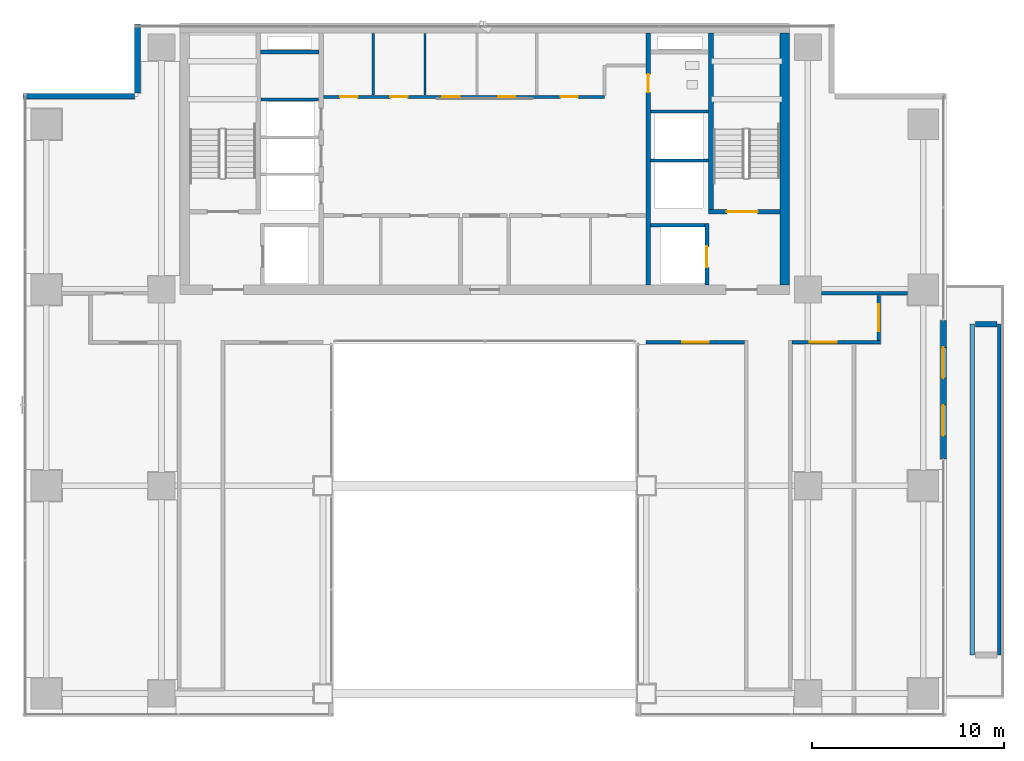
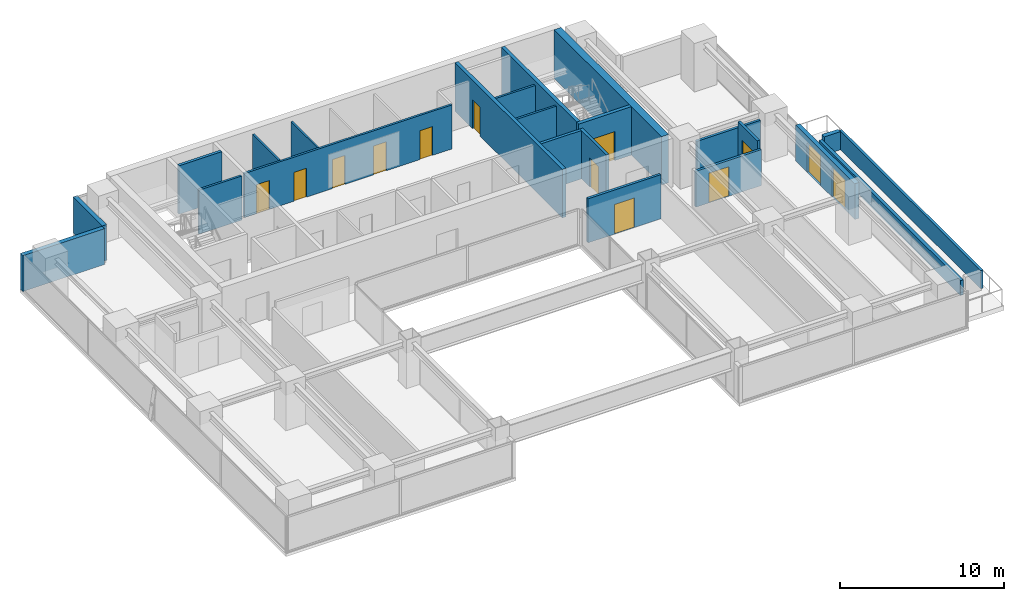
# One storey, part 27 of 32: 23 walls, 13 doors, 13 openings.
"""IFC4 building model written with IfcOpenShell, lengths in metres."""

from ifc_helpers import new_model, si_unit, direction, frame, frame_2d, origin, place, context, subcontext, project, spatial, rectangle, extrude, source, transform, mapped, material, layer, layer_set, type_object, element, fill, save


model = new_model("IFC4")

# Units and contexts
model_context = context("Model", 3, precision=1e-05, world=origin(), true_north=direction((0.0, 1.0)))
body_context = subcontext(model_context, "Body", "Model", "MODEL_VIEW")
ifc_project = project(units=[si_unit("LENGTHUNIT", "METRE"), si_unit("AREAUNIT", "SQUARE_METRE"), si_unit("VOLUMEUNIT", "CUBIC_METRE"), si_unit("PLANEANGLEUNIT", "RADIAN"), si_unit("MASSUNIT", "GRAM", prefix="KILO")], contexts=[model_context])

# Site, building, storey
site_placement = place(None, origin())
site = spatial("IfcSite", under=ifc_project, at=site_placement, CompositionType="ELEMENT")
building_placement = place(site_placement, origin())
building = spatial("IfcBuilding", under=site, at=building_placement, Name="Sumidabori Civic Tower", CompositionType="ELEMENT")
storey_placement = place(building_placement, frame((0.0, 0.0, 225.199951171875)))
storey = spatial("IfcBuildingStorey", under=building, at=storey_placement, Name="L58", CompositionType="ELEMENT", Elevation=225.199951171875)

# Walls
ifc_material_1 = material(Name="Concrete C50/60", Category="concrete")
ifc_layer_1 = layer(ifc_material_1, 0.199951171875, Name="Concrete C50/60")
ifc_layer_set_1 = layer_set([ifc_layer_1], Name="Concrete C50/60")
wall_type_1 = type_object("IfcWallType", Name="WL-SHAFT-200", PredefinedType="SHEAR", material=ifc_layer_set_1)
shared_shape_1 = source(origin(), body_context, "Body", "SweptSolid", [
    extrude(rectangle(XDim=2.824951171875, YDim=0.199951171875, at=frame_2d((1.41259765625, 0.0))), origin(), (0.0, 0.0, 1.0), 3.60009765625),
])
wall_1_placement = place(storey_placement, frame((8.625, 13.550048828125, 0.0), z_axis=(0.0, 0.0, 1.0), x_axis=(1.0, 0.0, 0.0)))
element("IfcWall", 1, at=wall_1_placement, inside=storey, type_object=wall_type_1, Name="Core Shear Wall L58 EL2-N", PredefinedType="SHEAR", context=body_context, shape_type="MappedRepresentation", body=[
    mapped(shared_shape_1, transform((0.0, 0.0, 0.0), x_axis=(1.0, 0.0, 0.0), y_axis=(0.0, 1.0, 0.0), z_axis=(0.0, 0.0, 1.0), scale=1.0)),
])
shared_shape_2 = source(origin(), body_context, "Body", "SweptSolid", [
    extrude(rectangle(XDim=3.02001953125, YDim=0.199951171875, at=frame_2d((1.510009765625, 0.0))), origin(), (0.0, 0.0, 1.0), 3.60009765625),
])
wall_2_placement = place(storey_placement, frame((-11.64501953125, 22.550048828125, 0.0), z_axis=(0.0, 0.0, 1.0), x_axis=(1.0, 0.0, 0.0)))
element("IfcWall", 2, at=wall_2_placement, inside=storey, type_object=wall_type_1, Name="Core Shear Wall L58 RIS1-S", PredefinedType="SHEAR", context=body_context, shape_type="MappedRepresentation", body=[
    mapped(shared_shape_2, transform((0.0, 0.0, 0.0), x_axis=(1.0, 0.0, 0.0), y_axis=(0.0, 1.0, 0.0), z_axis=(0.0, 0.0, 1.0), scale=1.0)),
])
ifc_layer_2 = layer(ifc_material_1, 0.5, Name="Concrete C50/60")
ifc_layer_set_2 = layer_set([ifc_layer_2], Name="Concrete C50/60")
wall_type_2 = type_object("IfcWallType", Name="WL-CORE-500", PredefinedType="SHEAR", material=ifc_layer_set_2)
shared_shape_3 = source(origin(), body_context, "Body", "SweptSolid", [
    extrude(rectangle(XDim=13.10009765625, YDim=0.5, at=frame_2d((6.550048828125, 0.0))), origin(), (0.0, 0.0, 1.0), 3.60009765625),
])
wall_3_placement = place(storey_placement, frame((15.60009765625, 10.449951171875, 0.0), z_axis=(0.0, 0.0, 1.0), x_axis=(0.0, 1.0, 0.0)))
element("IfcWall", 3, at=wall_3_placement, inside=storey, type_object=wall_type_2, Name="Core Shear Wall L58 E", PredefinedType="SHEAR", context=body_context, shape_type="MappedRepresentation", body=[
    mapped(shared_shape_3, transform((0.0, 0.0, 0.0), x_axis=(1.0, 0.0, 0.0), y_axis=(0.0, 1.0, 0.0), z_axis=(0.0, 0.0, 1.0), scale=1.0)),
])

# Wall, opening, door
ifc_layer_3 = layer(ifc_material_1, 0.25, Name="Concrete C50/60")
ifc_layer_set_3 = layer_set([ifc_layer_3], Name="Concrete C50/60")
wall_type_3 = type_object("IfcWallType", Name="WL-SHAFT-250", PredefinedType="SHEAR", material=ifc_layer_set_3)
shared_shape_4 = source(origin(), body_context, "Body", "SweptSolid", [
    extrude(rectangle(XDim=13.10009765625, YDim=0.25, at=frame_2d((6.550048828125, 0.0))), origin(), (0.0, 0.0, 1.0), 3.60009765625),
])
wall_4_placement = place(storey_placement, frame((8.5, 10.449951171875, 0.0), z_axis=(0.0, 0.0, 1.0), x_axis=(0.0, 1.0, 0.0)))
wall_4 = element("IfcWall", 4, at=wall_4_placement, inside=storey, type_object=wall_type_3, Name="Core Shear Wall L58 WEB-E", PredefinedType="SHEAR", context=body_context, shape_type="MappedRepresentation", body=[
    mapped(shared_shape_4, transform((0.0, 0.0, 0.0), x_axis=(1.0, 0.0, 0.0), y_axis=(0.0, 1.0, 0.0), z_axis=(0.0, 0.0, 1.0), scale=1.0)),
])
opening_1_placement = place(wall_4_placement, frame((10.0, 0.0, 0.0)))
opening_1 = element("IfcOpeningElement", 5, at=opening_1_placement, cuts=wall_4, Name="Opening DR-2", PredefinedType="OPENING", context=body_context, shape_type="SweptSolid", body=[
    extrude(rectangle(XDim=0.949951171875, YDim=2.14990234375, at=frame_2d((0.47509765625, 1.074951171875))), frame((0.0, 0.136962890625, 0.0), z_axis=(0.0, -1.0, 0.0), x_axis=(1.0, 0.0, 0.0)), (0.0, 0.0, 1.0), 0.27392578125),
])
ifc_material_2 = material(Name="Japanese Hinoki Timber", Category="wood")
door_type_1 = type_object("IfcDoorType", Name="DR-INT-950", OperationType="NOTDEFINED", PredefinedType="DOOR", material=ifc_material_2)
shared_shape_5 = source(origin(), body_context, "Body", "SweptSolid", [
    extrude(rectangle(XDim=0.949951171875, YDim=2.14990234375, at=frame_2d((0.47509765625, 1.074951171875))), frame((0.0, 0.02490234375, 0.0), z_axis=(0.0, -1.0, 0.0), x_axis=(1.0, 0.0, 0.0)), (0.0, 0.0, 1.0), 0.050048828125),
])
door_1_placement = place(opening_1_placement, origin())
door_1 = element("IfcDoor", 6, at=door_1_placement, inside=storey, type_object=door_type_1, Name="Door DR:L58:WC-ACC", OperationType="SINGLE_SWING_RIGHT", OverallHeight=2.14990234375, OverallWidth=0.949951171875, PredefinedType="DOOR", context=body_context, shape_type="MappedRepresentation", body=[
    mapped(shared_shape_5, transform((0.0, 0.0, 0.0), x_axis=(1.0, 0.0, 0.0), y_axis=(0.0, 1.0, 0.0), z_axis=(0.0, 0.0, 1.0), scale=1.0)),
])
fill(opening_1, door_1)

shared_shape_6 = source(origin(), body_context, "Body", "SweptSolid", [
    extrude(rectangle(XDim=3.705078125, YDim=0.25, at=frame_2d((1.8525390625, 0.0))), origin(), (0.0, 0.0, 1.0), 3.60009765625),
])
wall_5_placement = place(storey_placement, frame((11.64501953125, 14.25, 0.0), z_axis=(0.0, 0.0, 1.0), x_axis=(1.0, 0.0, 0.0)))
wall_5 = element("IfcWall", 7, at=wall_5_placement, inside=storey, type_object=wall_type_3, Name="Core Shear Wall L58 ST2-S", PredefinedType="SHEAR", context=body_context, shape_type="MappedRepresentation", body=[
    mapped(shared_shape_6, transform((0.0, 0.0, 0.0), x_axis=(1.0, 0.0, 0.0), y_axis=(0.0, 1.0, 0.0), z_axis=(0.0, 0.0, 1.0), scale=1.0)),
])
opening_2_placement = place(wall_5_placement, frame((0.949951171875, 0.0, 0.0)))
opening_2 = element("IfcOpeningElement", 8, at=opening_2_placement, cuts=wall_5, Name="Opening DR-FD4", PredefinedType="OPENING", context=body_context, shape_type="SweptSolid", body=[
    extrude(rectangle(XDim=1.60009765625, YDim=2.14990234375, at=frame_2d((0.800048828125, 1.074951171875))), frame((0.0, 0.136962890625, 0.0), z_axis=(0.0, -1.0, 0.0), x_axis=(1.0, 0.0, 0.0)), (0.0, 0.0, 1.0), 0.27392578125),
])
ifc_material_3 = material(Name="Steel SN490", Category="steel")
door_type_2 = type_object("IfcDoorType", Name="DR-FD4", OperationType="DOUBLE_DOOR_SINGLE_SWING", PredefinedType="DOOR", material=ifc_material_3)
shared_shape_7 = source(origin(), body_context, "Body", "SweptSolid", [
    extrude(rectangle(XDim=1.60009765625, YDim=2.14990234375, at=frame_2d((0.800048828125, 1.074951171875))), frame((0.0, 0.02490234375, 0.0), z_axis=(0.0, -1.0, 0.0), x_axis=(1.0, 0.0, 0.0)), (0.0, 0.0, 1.0), 0.050048828125),
])
door_2_placement = place(opening_2_placement, origin())
door_2 = element("IfcDoor", 9, at=door_2_placement, inside=storey, type_object=door_type_2, Name="Door DR:L58:ST2", OperationType="DOUBLE_DOOR_SINGLE_SWING", OverallHeight=2.14990234375, OverallWidth=1.60009765625, PredefinedType="DOOR", context=body_context, shape_type="MappedRepresentation", body=[
    mapped(shared_shape_7, transform((0.0, 0.0, 0.0), x_axis=(1.0, 0.0, 0.0), y_axis=(0.0, 1.0, 0.0), z_axis=(0.0, 0.0, 1.0), scale=1.0)),
])
fill(opening_2, door_2)

# Wall
shared_shape_8 = source(origin(), body_context, "Body", "SweptSolid", [
    extrude(rectangle(XDim=9.175048828125, YDim=0.25, at=frame_2d((4.58740234375, 0.0))), origin(), (0.0, 0.0, 1.0), 3.60009765625),
])
wall_6_placement = place(storey_placement, frame((11.77001953125, 14.375, 0.0), z_axis=(0.0, 0.0, 1.0), x_axis=(0.0, 1.0, 0.0)))
element("IfcWall", 10, at=wall_6_placement, inside=storey, type_object=wall_type_3, Name="Core Shear Wall L58 ST2-W", PredefinedType="SHEAR", context=body_context, shape_type="MappedRepresentation", body=[
    mapped(shared_shape_8, transform((0.0, 0.0, 0.0), x_axis=(1.0, 0.0, 0.0), y_axis=(0.0, 1.0, 0.0), z_axis=(0.0, 0.0, 1.0), scale=1.0)),
])

# Wall, opening, door
shared_shape_9 = source(origin(), body_context, "Body", "SweptSolid", [
    extrude(rectangle(XDim=3.199951171875, YDim=0.199951171875, at=frame_2d((1.60009765625, 0.0))), origin(), (0.0, 0.0, 1.0), 3.60009765625),
])
wall_7_placement = place(storey_placement, frame((11.550048828125, 10.449951171875, 0.0), z_axis=(0.0, 0.0, 1.0), x_axis=(0.0, 1.0, 0.0)))
wall_7 = element("IfcWall", 11, at=wall_7_placement, inside=storey, type_object=wall_type_1, Name="Core Shear Wall L58 EL2-E", PredefinedType="SHEAR", context=body_context, shape_type="MappedRepresentation", body=[
    mapped(shared_shape_9, transform((0.0, 0.0, 0.0), x_axis=(1.0, 0.0, 0.0), y_axis=(0.0, 1.0, 0.0), z_axis=(0.0, 0.0, 1.0), scale=1.0)),
])
opening_3_placement = place(wall_7_placement, frame((0.89990234375, 0.0, 0.0)))
opening_3 = element("IfcOpeningElement", 12, at=opening_3_placement, cuts=wall_7, Name="Opening LD-2", PredefinedType="OPENING", context=body_context, shape_type="SweptSolid", body=[
    extrude(rectangle(XDim=1.10009765625, YDim=2.14990234375, at=frame_2d((0.550048828125, 1.074951171875))), frame((0.0, 0.11181640625, 0.0), z_axis=(0.0, -1.0, 0.0), x_axis=(1.0, 0.0, 0.0)), (0.0, 0.0, 1.0), 0.223876953125),
])
ifc_material_4 = material(Name="Stainless Steel Hairline Finish", Category="steel")
door_type_3 = type_object("IfcDoorType", Name="DR-LD2", OperationType="DOUBLE_DOOR_SLIDING", PredefinedType="DOOR", material=ifc_material_4)
shared_shape_10 = source(origin(), body_context, "Body", "SweptSolid", [
    extrude(rectangle(XDim=1.10009765625, YDim=2.14990234375, at=frame_2d((0.550048828125, 1.074951171875))), frame((0.0, 0.02490234375, 0.0), z_axis=(0.0, -1.0, 0.0), x_axis=(1.0, 0.0, 0.0)), (0.0, 0.0, 1.0), 0.050048828125),
])
door_3_placement = place(opening_3_placement, origin())
door_3 = element("IfcDoor", 13, at=door_3_placement, inside=storey, type_object=door_type_3, Name="Door DR:L58:LD-EL2", OperationType="DOUBLE_DOOR_SLIDING", OverallHeight=2.14990234375, OverallWidth=1.10009765625, PredefinedType="DOOR", context=body_context, shape_type="MappedRepresentation", body=[
    mapped(shared_shape_10, transform((0.0, 0.0, 0.0), x_axis=(1.0, 0.0, 0.0), y_axis=(0.0, 1.0, 0.0), z_axis=(0.0, 0.0, 1.0), scale=1.0)),
])
fill(opening_3, door_3)

# Wall, openings, doors
ifc_material_5 = material(Name="Precast concrete C40/50", Category="concrete")
ifc_layer_4 = layer(ifc_material_5, 0.300048828125, Name="Precast concrete C40/50")
ifc_layer_set_4 = layer_set([ifc_layer_4], Name="Precast concrete C40/50")
wall_type_4 = type_object("IfcWallType", Name="WL-EXT-POD300", PredefinedType="STANDARD", material=ifc_layer_set_4)
shared_shape_11 = source(origin(), body_context, "Body", "SweptSolid", [
    extrude(rectangle(XDim=7.2001953125, YDim=0.300048828125, at=frame_2d((3.60009765625, 0.0))), origin(), (0.0, 0.0, 1.0), 2.66015625),
])
wall_8_placement = place(storey_placement, frame((23.85009765625, 8.60009765625, 0.0), z_axis=(0.0, 0.0, 1.0), x_axis=(0.0, -1.0, 0.0)))
wall_8 = element("IfcWall", 14, at=wall_8_placement, inside=storey, type_object=wall_type_4, Name="East Terrace Access Wall L58", PredefinedType="STANDARD", context=body_context, shape_type="MappedRepresentation", body=[
    mapped(shared_shape_11, transform((0.0, 0.0, 0.0), x_axis=(1.0, 0.0, 0.0), y_axis=(0.0, 1.0, 0.0), z_axis=(0.0, 0.0, 1.0), scale=1.0)),
])
opening_4_placement = place(wall_8_placement, frame((1.39990234375, 0.0, 0.0)))
opening_4 = element("IfcOpeningElement", 15, at=opening_4_placement, cuts=wall_8, Name="Opening DT-2", PredefinedType="OPENING", context=body_context, shape_type="SweptSolid", body=[
    extrude(rectangle(XDim=1.60009765625, YDim=2.199951171875, at=frame_2d((0.800048828125, 1.10009765625))), frame((0.0, 0.162109375, 0.0), z_axis=(0.0, -1.0, 0.0), x_axis=(1.0, 0.0, 0.0)), (0.0, 0.0, 1.0), 0.323974609375),
])
opening_5_placement = place(wall_8_placement, frame((4.39990234375, 0.0, 0.0)))
opening_5 = element("IfcOpeningElement", 16, at=opening_5_placement, cuts=wall_8, Name="Opening DT-2", PredefinedType="OPENING", context=body_context, shape_type="SweptSolid", body=[
    extrude(rectangle(XDim=1.60009765625, YDim=2.199951171875, at=frame_2d((0.800048828125, 1.10009765625))), frame((0.0, 0.162109375, 0.0), z_axis=(0.0, -1.0, 0.0), x_axis=(1.0, 0.0, 0.0)), (0.0, 0.0, 1.0), 0.323974609375),
])
ifc_material_6 = material(Name="Anodised Bronze Aluminium AW-6063-T6", Category="aluminium")
door_type_4 = type_object("IfcDoorType", Name="DR-EXT-POOL", OperationType="DOUBLE_DOOR_SINGLE_SWING", PredefinedType="DOOR", material=ifc_material_6)
shared_shape_12 = source(origin(), body_context, "Body", "SweptSolid", [
    extrude(rectangle(XDim=1.60009765625, YDim=2.199951171875, at=frame_2d((0.800048828125, 1.10009765625))), frame((0.0, 0.02490234375, 0.0), z_axis=(0.0, -1.0, 0.0), x_axis=(1.0, 0.0, 0.0)), (0.0, 0.0, 1.0), 0.050048828125),
])
door_4_placement = place(opening_4_placement, origin())
door_4 = element("IfcDoor", 17, at=door_4_placement, inside=storey, type_object=door_type_4, Name="Sky Pool Access Door L58-1", OperationType="DOUBLE_DOOR_SINGLE_SWING", OverallHeight=2.199951171875, OverallWidth=1.60009765625, PredefinedType="DOOR", context=body_context, shape_type="MappedRepresentation", body=[
    mapped(shared_shape_12, transform((0.0, 0.0, 0.0), x_axis=(1.0, 0.0, 0.0), y_axis=(0.0, 1.0, 0.0), z_axis=(0.0, 0.0, 1.0), scale=1.0)),
])
fill(opening_4, door_4)
door_5_placement = place(opening_5_placement, origin())
door_5 = element("IfcDoor", 18, at=door_5_placement, inside=storey, type_object=door_type_4, Name="Sky Pool Access Door L58-2", OperationType="DOUBLE_DOOR_SINGLE_SWING", OverallHeight=2.199951171875, OverallWidth=1.60009765625, PredefinedType="DOOR", context=body_context, shape_type="MappedRepresentation", body=[
    mapped(shared_shape_12, transform((0.0, 0.0, 0.0), x_axis=(1.0, 0.0, 0.0), y_axis=(0.0, 1.0, 0.0), z_axis=(0.0, 0.0, 1.0), scale=1.0)),
])
fill(opening_5, door_5)

# Walls
shared_shape_13 = source(origin(), body_context, "Body", "SweptSolid", [
    extrude(rectangle(XDim=5.760009765625, YDim=0.300048828125, at=frame_2d((2.8798828125, 0.0))), origin(), (0.0, 0.0, 1.0), 2.66015625),
])
wall_9_placement = place(storey_placement, frame((-18.219970703125, 20.25, 0.0), z_axis=(0.0, 0.0, 1.0), x_axis=(-1.0, 0.0, 0.0)))
element("IfcWall", 19, at=wall_9_placement, inside=storey, type_object=wall_type_4, Name="Notched Corner Spandrel Band L58-16", PredefinedType="STANDARD", context=body_context, shape_type="MappedRepresentation", body=[
    mapped(shared_shape_13, transform((0.0, 0.0, 0.0), x_axis=(1.0, 0.0, 0.0), y_axis=(0.0, 1.0, 0.0), z_axis=(0.0, 0.0, 1.0), scale=1.0)),
])
shared_shape_14 = source(origin(), body_context, "Body", "SweptSolid", [
    extrude(rectangle(XDim=3.56005859375, YDim=0.300048828125, at=frame_2d((1.780029296875, 0.0))), origin(), (0.0, 0.0, 1.0), 2.66015625),
])
wall_10_placement = place(storey_placement, frame((-18.050048828125, 23.97998046875, 0.0), z_axis=(0.0, 0.0, 1.0), x_axis=(0.0, -1.0, 0.0)))
element("IfcWall", 20, at=wall_10_placement, inside=storey, type_object=wall_type_4, Name="Notched Corner Spandrel Band L58-15", PredefinedType="STANDARD", context=body_context, shape_type="MappedRepresentation", body=[
    mapped(shared_shape_14, transform((0.0, 0.0, 0.0), x_axis=(1.0, 0.0, 0.0), y_axis=(0.0, 1.0, 0.0), z_axis=(0.0, 0.0, 1.0), scale=1.0)),
])
ifc_material_7 = material(Name="Cast Structural Acrylic Pool Glazing", Category="glass")
ifc_layer_5 = layer(ifc_material_7, 0.179931640625, Name="Cast Structural Acrylic Pool Glazing")
ifc_layer_set_5 = layer_set([ifc_layer_5], Name="Cast Structural Acrylic Pool Glazing")
wall_type_5 = type_object("IfcWallType", Name="WL-POOL-ACR180", PredefinedType="SOLIDWALL", material=ifc_layer_set_5)
shared_shape_15 = source(origin(), body_context, "Body", "SweptSolid", [
    extrude(rectangle(XDim=17.199951171875, YDim=0.179931640625, at=frame_2d((8.60009765625, 0.0))), origin(), (0.0, 0.0, 1.0), 1.35009765625),
])
wall_11_placement = place(storey_placement, frame((26.75, -8.800048828125, 0.0), z_axis=(0.0, 0.0, 1.0), x_axis=(0.0, 1.0, 0.0)))
element("IfcWall", 21, at=wall_11_placement, inside=storey, type_object=wall_type_5, Name="Sky Pool East Acrylic Viewing Wall", PredefinedType="SOLIDWALL", context=body_context, shape_type="MappedRepresentation", body=[
    mapped(shared_shape_15, transform((0.0, 0.0, 0.0), x_axis=(1.0, 0.0, 0.0), y_axis=(0.0, 1.0, 0.0), z_axis=(0.0, 0.0, 1.0), scale=1.0)),
])
ifc_layer_6 = layer(ifc_material_1, 0.219970703125, Name="Concrete C50/60")
ifc_layer_set_6 = layer_set([ifc_layer_6], Name="Concrete C50/60")
wall_type_6 = type_object("IfcWallType", Name="WL-POOL-KERB220", PredefinedType="SOLIDWALL", material=ifc_layer_set_6)
shared_shape_16 = source(origin(), body_context, "Body", "SweptSolid", [
    extrude(rectangle(XDim=17.199951171875, YDim=0.219970703125, at=frame_2d((8.60009765625, 0.0))), origin(), (0.0, 0.0, 1.0), 1.10009765625),
])
wall_12_placement = place(storey_placement, frame((25.35009765625, -8.800048828125, 0.0), z_axis=(0.0, 0.0, 1.0), x_axis=(0.0, 1.0, 0.0)))
element("IfcWall", 22, at=wall_12_placement, inside=storey, type_object=wall_type_6, Name="Sky Pool Inner Kerb Wall", PredefinedType="SOLIDWALL", context=body_context, shape_type="MappedRepresentation", body=[
    mapped(shared_shape_16, transform((0.0, 0.0, 0.0), x_axis=(1.0, 0.0, 0.0), y_axis=(0.0, 1.0, 0.0), z_axis=(0.0, 0.0, 1.0), scale=1.0)),
])
ifc_layer_7 = layer(ifc_material_1, 0.300048828125, Name="Concrete C50/60")
ifc_layer_set_7 = layer_set([ifc_layer_7], Name="Concrete C50/60")
wall_type_7 = type_object("IfcWallType", Name="WL-POOL-RC300", PredefinedType="SOLIDWALL", material=ifc_layer_set_7)
shared_shape_17 = source(origin(), body_context, "Body", "SweptSolid", [
    extrude(rectangle(XDim=1.119873046875, YDim=0.300048828125, at=frame_2d((0.56005859375, 0.0))), origin(), (0.0, 0.0, 1.0), 1.35009765625),
])
wall_13_placement = place(storey_placement, frame((25.52001953125, 8.39990234375, 0.0), z_axis=(0.0, 0.0, 1.0), x_axis=(1.0, 0.0, 0.0)))
element("IfcWall", 23, at=wall_13_placement, inside=storey, type_object=wall_type_7, Name="Sky Pool North Basin Wall", PredefinedType="SOLIDWALL", context=body_context, shape_type="MappedRepresentation", body=[
    mapped(shared_shape_17, transform((0.0, 0.0, 0.0), x_axis=(1.0, 0.0, 0.0), y_axis=(0.0, 1.0, 0.0), z_axis=(0.0, 0.0, 1.0), scale=1.0)),
])
ifc_material_8 = material(Name="Gypsum Plasterboard Acoustic Partition")
ifc_layer_8 = layer(ifc_material_8, 0.14990234375, Name="Gypsum Plasterboard Acoustic Partition")
ifc_layer_set_8 = layer_set([ifc_layer_8], Name="Gypsum Plasterboard Acoustic Partition")
wall_type_8 = type_object("IfcWallType", Name="WL-PART-150", PredefinedType="PARTITIONING", material=ifc_layer_set_8)
shared_shape_18 = source(origin(), body_context, "Body", "SweptSolid", [
    extrude(rectangle(XDim=3.010009765625, YDim=0.14990234375, at=frame_2d((1.5048828125, 0.0))), origin(), (0.0, 0.0, 1.0), 3.280029296875),
])
for number, where, z_axis, x_axis, name in (
    (24, (-11.639892578125, 20.080078125, 0.0), (0.0, 0.0, 1.0), (1.0, 0.0, 0.0), "Interior Partition WL:L58:DIV-PLH3"),
    (25, (8.6298828125, 16.919921875, 0.0), (0.0, 0.0, 1.0), (1.0, 0.0, 0.0), "Interior Partition WL:L58:DIV-OBS1"),
    (26, (8.6298828125, 19.469970703125, 0.0), (0.0, 0.0, 1.0), (1.0, 0.0, 0.0), "Interior Partition WL:L58:DIV-OBS2"),
):
    element("IfcWall", number, at=place(storey_placement, frame(where, z_axis=z_axis, x_axis=x_axis)), inside=storey, type_object=wall_type_8, Name=name, PredefinedType="PARTITIONING", context=body_context, shape_type="MappedRepresentation", body=[
        mapped(shared_shape_18, transform((0.0, 0.0, 0.0), x_axis=(1.0, 0.0, 0.0), y_axis=(0.0, 1.0, 0.0), z_axis=(0.0, 0.0, 1.0), scale=1.0)),
    ])

# Wall, openings, doors
shared_shape_19 = source(origin(), body_context, "Body", "SweptSolid", [
    extrude(rectangle(XDim=14.590087890625, YDim=0.14990234375, at=frame_2d((7.294921875, 0.0))), origin(), (0.0, 0.0, 1.0), 3.280029296875),
])
wall_14_placement = place(storey_placement, frame((-8.3701171875, 20.219970703125, 0.0), z_axis=(0.0, 0.0, 1.0), x_axis=(1.0, 0.0, 0.0)))
wall_14 = element("IfcWall", 27, at=wall_14_placement, inside=storey, type_object=wall_type_8, Name="Interior Partition WL:L58:CBAND-M", PredefinedType="PARTITIONING", context=body_context, shape_type="MappedRepresentation", body=[
    mapped(shared_shape_19, transform((0.0, 0.0, 0.0), x_axis=(1.0, 0.0, 0.0), y_axis=(0.0, 1.0, 0.0), z_axis=(0.0, 0.0, 1.0), scale=1.0)),
])
opening_6_placement = place(wall_14_placement, frame((0.860107421875, 0.0, 0.0)))
opening_6 = element("IfcOpeningElement", 28, at=opening_6_placement, cuts=wall_14, Name="Opening DR-1", PredefinedType="OPENING", context=body_context, shape_type="SweptSolid", body=[
    extrude(rectangle(XDim=0.89990234375, YDim=2.14990234375, at=frame_2d((0.449951171875, 1.074951171875))), frame((0.0, 0.0869140625, 0.0), z_axis=(0.0, -1.0, 0.0), x_axis=(1.0, 0.0, 0.0)), (0.0, 0.0, 1.0), 0.173828125),
])
opening_7_placement = place(wall_14_placement, frame((3.469970703125, 0.0, 0.0)))
opening_7 = element("IfcOpeningElement", 29, at=opening_7_placement, cuts=wall_14, Name="Opening DR-1", PredefinedType="OPENING", context=body_context, shape_type="SweptSolid", body=[
    extrude(rectangle(XDim=0.89990234375, YDim=2.14990234375, at=frame_2d((0.449951171875, 1.074951171875))), frame((0.0, 0.0869140625, 0.0), z_axis=(0.0, -1.0, 0.0), x_axis=(1.0, 0.0, 0.0)), (0.0, 0.0, 1.0), 0.173828125),
])
opening_8_placement = place(wall_14_placement, frame((6.169921875, 0.0, 0.0)))
opening_8 = element("IfcOpeningElement", 30, at=opening_8_placement, cuts=wall_14, Name="Opening DR-1", PredefinedType="OPENING", context=body_context, shape_type="SweptSolid", body=[
    extrude(rectangle(XDim=0.89990234375, YDim=2.14990234375, at=frame_2d((0.449951171875, 1.074951171875))), frame((0.0, 0.0869140625, 0.0), z_axis=(0.0, -1.0, 0.0), x_axis=(1.0, 0.0, 0.0)), (0.0, 0.0, 1.0), 0.173828125),
])
opening_9_placement = place(wall_14_placement, frame((9.070068359375, 0.0, 0.0)))
opening_9 = element("IfcOpeningElement", 31, at=opening_9_placement, cuts=wall_14, Name="Opening DR-1", PredefinedType="OPENING", context=body_context, shape_type="SweptSolid", body=[
    extrude(rectangle(XDim=0.89990234375, YDim=2.14990234375, at=frame_2d((0.449951171875, 1.074951171875))), frame((0.0, 0.0869140625, 0.0), z_axis=(0.0, -1.0, 0.0), x_axis=(1.0, 0.0, 0.0)), (0.0, 0.0, 1.0), 0.173828125),
])
opening_10_placement = place(wall_14_placement, frame((12.320068359375, 0.0, 0.0)))
opening_10 = element("IfcOpeningElement", 32, at=opening_10_placement, cuts=wall_14, Name="Opening DR-1", PredefinedType="OPENING", context=body_context, shape_type="SweptSolid", body=[
    extrude(rectangle(XDim=0.89990234375, YDim=2.14990234375, at=frame_2d((0.449951171875, 1.074951171875))), frame((0.0, 0.0869140625, 0.0), z_axis=(0.0, -1.0, 0.0), x_axis=(1.0, 0.0, 0.0)), (0.0, 0.0, 1.0), 0.173828125),
])
door_type_5 = type_object("IfcDoorType", Name="DR-INT-900", OperationType="NOTDEFINED", PredefinedType="DOOR", material=ifc_material_2)
shared_shape_20 = source(origin(), body_context, "Body", "SweptSolid", [
    extrude(rectangle(XDim=0.89990234375, YDim=2.14990234375, at=frame_2d((0.449951171875, 1.074951171875))), frame((0.0, 0.02490234375, 0.0), z_axis=(0.0, -1.0, 0.0), x_axis=(1.0, 0.0, 0.0)), (0.0, 0.0, 1.0), 0.050048828125),
])
door_6_placement = place(opening_6_placement, origin())
door_6 = element("IfcDoor", 33, at=door_6_placement, inside=storey, type_object=door_type_5, Name="Door DR:L58:CB-1", OperationType="SINGLE_SWING_LEFT", OverallHeight=2.14990234375, OverallWidth=0.89990234375, PredefinedType="DOOR", context=body_context, shape_type="MappedRepresentation", body=[
    mapped(shared_shape_20, transform((0.0, 0.0, 0.0), x_axis=(1.0, 0.0, 0.0), y_axis=(0.0, 1.0, 0.0), z_axis=(0.0, 0.0, 1.0), scale=1.0)),
])
fill(opening_6, door_6)
door_7_placement = place(opening_7_placement, origin())
door_7 = element("IfcDoor", 34, at=door_7_placement, inside=storey, type_object=door_type_5, Name="Door DR:L58:CB-2", OperationType="SINGLE_SWING_RIGHT", OverallHeight=2.14990234375, OverallWidth=0.89990234375, PredefinedType="DOOR", context=body_context, shape_type="MappedRepresentation", body=[
    mapped(shared_shape_20, transform((0.0, 0.0, 0.0), x_axis=(1.0, 0.0, 0.0), y_axis=(0.0, 1.0, 0.0), z_axis=(0.0, 0.0, 1.0), scale=1.0)),
])
fill(opening_7, door_7)
door_8_placement = place(opening_8_placement, origin())
door_8 = element("IfcDoor", 35, at=door_8_placement, inside=storey, type_object=door_type_5, Name="Door DR:L58:CB-3", OperationType="SINGLE_SWING_LEFT", OverallHeight=2.14990234375, OverallWidth=0.89990234375, PredefinedType="DOOR", context=body_context, shape_type="MappedRepresentation", body=[
    mapped(shared_shape_20, transform((0.0, 0.0, 0.0), x_axis=(1.0, 0.0, 0.0), y_axis=(0.0, 1.0, 0.0), z_axis=(0.0, 0.0, 1.0), scale=1.0)),
])
fill(opening_8, door_8)
door_9_placement = place(opening_9_placement, origin())
door_9 = element("IfcDoor", 36, at=door_9_placement, inside=storey, type_object=door_type_5, Name="Door DR:L58:CB-4", OperationType="SINGLE_SWING_RIGHT", OverallHeight=2.14990234375, OverallWidth=0.89990234375, PredefinedType="DOOR", context=body_context, shape_type="MappedRepresentation", body=[
    mapped(shared_shape_20, transform((0.0, 0.0, 0.0), x_axis=(1.0, 0.0, 0.0), y_axis=(0.0, 1.0, 0.0), z_axis=(0.0, 0.0, 1.0), scale=1.0)),
])
fill(opening_9, door_9)
door_10_placement = place(opening_10_placement, origin())
door_10 = element("IfcDoor", 37, at=door_10_placement, inside=storey, type_object=door_type_5, Name="Door DR:L58:CB-5", OperationType="SINGLE_SWING_LEFT", OverallHeight=2.14990234375, OverallWidth=0.89990234375, PredefinedType="DOOR", context=body_context, shape_type="MappedRepresentation", body=[
    mapped(shared_shape_20, transform((0.0, 0.0, 0.0), x_axis=(1.0, 0.0, 0.0), y_axis=(0.0, 1.0, 0.0), z_axis=(0.0, 0.0, 1.0), scale=1.0)),
])
fill(opening_10, door_10)

# Walls
ifc_layer_9 = layer(ifc_material_8, 0.1201171875, Name="Gypsum Plasterboard Acoustic Partition")
ifc_layer_set_9 = layer_set([ifc_layer_9], Name="Gypsum Plasterboard Acoustic Partition")
wall_type_9 = type_object("IfcWallType", Name="WL-PART-120", PredefinedType="PARTITIONING", material=ifc_layer_set_9)
shared_shape_21 = source(origin(), body_context, "Body", "SweptSolid", [
    extrude(rectangle(XDim=3.18994140625, YDim=0.1201171875, at=frame_2d((1.594970703125, 0.0))), origin(), (0.0, 0.0, 1.0), 3.280029296875),
])
for number, where, z_axis, x_axis, name in (
    (38, (-5.800048828125, 20.320068359375, 0.0), (0.0, 0.0, 1.0), (0.0, 1.0, 0.0), "Interior Partition WL:L58:LV8-S1"),
    (39, (-3.10009765625, 20.320068359375, 0.0), (0.0, 0.0, 1.0), (0.0, 1.0, 0.0), "Interior Partition WL:L58:LV8-S2"),
):
    element("IfcWall", number, at=place(storey_placement, frame(where, z_axis=z_axis, x_axis=x_axis)), inside=storey, type_object=wall_type_9, Name=name, PredefinedType="PARTITIONING", context=body_context, shape_type="MappedRepresentation", body=[
        mapped(shared_shape_21, transform((0.0, 0.0, 0.0), x_axis=(1.0, 0.0, 0.0), y_axis=(0.0, 1.0, 0.0), z_axis=(0.0, 0.0, 1.0), scale=1.0)),
    ])
ifc_layer_10 = layer(ifc_material_8, 0.179931640625, Name="Gypsum Plasterboard Acoustic Partition")
ifc_layer_set_10 = layer_set([ifc_layer_10], Name="Gypsum Plasterboard Acoustic Partition")
wall_type_10 = type_object("IfcWallType", Name="WL-PART-180", PredefinedType="PARTITIONING", material=ifc_layer_set_10)
shared_shape_22 = source(origin(), body_context, "Body", "SweptSolid", [
    extrude(rectangle(XDim=4.47998046875, YDim=0.179931640625, at=frame_2d((2.239990234375, 0.0))), origin(), (0.0, 0.0, 1.0), 2.81494140625),
])
wall_15_placement = place(storey_placement, frame((17.510009765625, 10.0, 0.0), z_axis=(0.0, 0.0, 1.0), x_axis=(1.0, 0.0, 0.0)))
element("IfcWall", 40, at=wall_15_placement, inside=storey, type_object=wall_type_10, Name="Interior Partition WL:L58:FLK-NE", PredefinedType="PARTITIONING", context=body_context, shape_type="MappedRepresentation", body=[
    mapped(shared_shape_22, transform((0.0, 0.0, 0.0), x_axis=(1.0, 0.0, 0.0), y_axis=(0.0, 1.0, 0.0), z_axis=(0.0, 0.0, 1.0), scale=1.0)),
])

# Wall, opening, door
shared_shape_23 = source(origin(), body_context, "Body", "SweptSolid", [
    extrude(rectangle(XDim=4.60009765625, YDim=0.179931640625, at=frame_2d((2.300048828125, 0.0))), origin(), (0.0, 0.0, 1.0), 2.6650390625),
])
wall_16_placement = place(storey_placement, frame((15.97998046875, 7.4599609375, 0.0), z_axis=(0.0, 0.0, 1.0), x_axis=(1.0, 0.0, 0.0)))
wall_16 = element("IfcWall", 41, at=wall_16_placement, inside=storey, type_object=wall_type_10, Name="Interior Partition WL:L58:CORR-SEO", PredefinedType="PARTITIONING", context=body_context, shape_type="MappedRepresentation", body=[
    mapped(shared_shape_23, transform((0.0, 0.0, 0.0), x_axis=(1.0, 0.0, 0.0), y_axis=(0.0, 1.0, 0.0), z_axis=(0.0, 0.0, 1.0), scale=1.0)),
])
opening_11_placement = place(wall_16_placement, frame((0.925048828125, 0.0, 0.0)))
opening_11 = element("IfcOpeningElement", 42, at=opening_11_placement, cuts=wall_16, Name="Opening DR-5", PredefinedType="OPENING", context=body_context, shape_type="SweptSolid", body=[
    extrude(rectangle(XDim=1.39990234375, YDim=2.199951171875, at=frame_2d((0.699951171875, 1.10009765625))), frame((0.0, 0.10205078125, 0.0), z_axis=(0.0, -1.0, 0.0), x_axis=(1.0, 0.0, 0.0)), (0.0, 0.0, 1.0), 0.203857421875),
])
door_type_6 = type_object("IfcDoorType", Name="DR-DBL-1400", OperationType="DOUBLE_DOOR_SINGLE_SWING", PredefinedType="DOOR", material=ifc_material_6)
shared_shape_24 = source(origin(), body_context, "Body", "SweptSolid", [
    extrude(rectangle(XDim=1.39990234375, YDim=2.199951171875, at=frame_2d((0.699951171875, 1.10009765625))), frame((0.0, 0.02490234375, 0.0), z_axis=(0.0, -1.0, 0.0), x_axis=(1.0, 0.0, 0.0)), (0.0, 0.0, 1.0), 0.050048828125),
])
door_11_placement = place(opening_11_placement, origin())
door_11 = element("IfcDoor", 43, at=door_11_placement, inside=storey, type_object=door_type_6, Name="Door DR:L58:D04", OperationType="DOUBLE_DOOR_SINGLE_SWING", OverallHeight=2.199951171875, OverallWidth=1.39990234375, PredefinedType="DOOR", context=body_context, shape_type="MappedRepresentation", body=[
    mapped(shared_shape_24, transform((0.0, 0.0, 0.0), x_axis=(1.0, 0.0, 0.0), y_axis=(0.0, 1.0, 0.0), z_axis=(0.0, 0.0, 1.0), scale=1.0)),
])
fill(opening_11, door_11)

shared_shape_25 = source(origin(), body_context, "Body", "SweptSolid", [
    extrude(rectangle(XDim=5.1201171875, YDim=0.179931640625, at=frame_2d((2.56005859375, 0.0))), origin(), (0.0, 0.0, 1.0), 3.280029296875),
])
wall_17_placement = place(storey_placement, frame((8.39990234375, 7.4599609375, 0.0), z_axis=(0.0, 0.0, 1.0), x_axis=(1.0, 0.0, 0.0)))
wall_17 = element("IfcWall", 44, at=wall_17_placement, inside=storey, type_object=wall_type_10, Name="Interior Partition WL:L58:CORR-SEI", PredefinedType="PARTITIONING", context=body_context, shape_type="MappedRepresentation", body=[
    mapped(shared_shape_25, transform((0.0, 0.0, 0.0), x_axis=(1.0, 0.0, 0.0), y_axis=(0.0, 1.0, 0.0), z_axis=(0.0, 0.0, 1.0), scale=1.0)),
])
opening_12_placement = place(wall_17_placement, frame((1.860107421875, 0.0, 0.0)))
opening_12 = element("IfcOpeningElement", 45, at=opening_12_placement, cuts=wall_17, Name="Opening DR-5", PredefinedType="OPENING", context=body_context, shape_type="SweptSolid", body=[
    extrude(rectangle(XDim=1.39990234375, YDim=2.199951171875, at=frame_2d((0.699951171875, 1.10009765625))), frame((0.0, 0.10205078125, 0.0), z_axis=(0.0, -1.0, 0.0), x_axis=(1.0, 0.0, 0.0)), (0.0, 0.0, 1.0), 0.203857421875),
])
door_12_placement = place(opening_12_placement, origin())
door_12 = element("IfcDoor", 46, at=door_12_placement, inside=storey, type_object=door_type_6, Name="Door DR:L58:D06", OperationType="DOUBLE_DOOR_SINGLE_SWING", OverallHeight=2.199951171875, OverallWidth=1.39990234375, PredefinedType="DOOR", context=body_context, shape_type="MappedRepresentation", body=[
    mapped(shared_shape_24, transform((0.0, 0.0, 0.0), x_axis=(1.0, 0.0, 0.0), y_axis=(0.0, 1.0, 0.0), z_axis=(0.0, 0.0, 1.0), scale=1.0)),
])
fill(opening_12, door_12)

shared_shape_26 = source(origin(), body_context, "Body", "SweptSolid", [
    extrude(rectangle(XDim=2.35009765625, YDim=0.179931640625, at=frame_2d((1.175048828125, 0.0))), origin(), (0.0, 0.0, 1.0), 3.280029296875),
])
wall_18_placement = place(storey_placement, frame((20.489990234375, 7.554931640625, 0.0), z_axis=(0.0, 0.0, 1.0), x_axis=(0.0, 1.0, 0.0)))
wall_18 = element("IfcWall", 47, at=wall_18_placement, inside=storey, type_object=wall_type_10, Name="Interior Partition WL:L58:CORR-VNE", PredefinedType="PARTITIONING", context=body_context, shape_type="MappedRepresentation", body=[
    mapped(shared_shape_26, transform((0.0, 0.0, 0.0), x_axis=(1.0, 0.0, 0.0), y_axis=(0.0, 1.0, 0.0), z_axis=(0.0, 0.0, 1.0), scale=1.0)),
])
opening_13_placement = place(wall_18_placement, frame((0.47509765625, 0.0, 0.0)))
opening_13 = element("IfcOpeningElement", 48, at=opening_13_placement, cuts=wall_18, Name="Opening DR-5", PredefinedType="OPENING", context=body_context, shape_type="SweptSolid", body=[
    extrude(rectangle(XDim=1.39990234375, YDim=2.199951171875, at=frame_2d((0.699951171875, 1.10009765625))), frame((0.0, 0.10205078125, 0.0), z_axis=(0.0, -1.0, 0.0), x_axis=(1.0, 0.0, 0.0)), (0.0, 0.0, 1.0), 0.203857421875),
])
door_13_placement = place(opening_13_placement, origin())
door_13 = element("IfcDoor", 49, at=door_13_placement, inside=storey, type_object=door_type_6, Name="Door DR:L58:D02", OperationType="DOUBLE_DOOR_SINGLE_SWING", OverallHeight=2.199951171875, OverallWidth=1.39990234375, PredefinedType="DOOR", context=body_context, shape_type="MappedRepresentation", body=[
    mapped(shared_shape_24, transform((0.0, 0.0, 0.0), x_axis=(1.0, 0.0, 0.0), y_axis=(0.0, 1.0, 0.0), z_axis=(0.0, 0.0, 1.0), scale=1.0)),
])
fill(opening_13, door_13)

save(model, "model.ifc")
